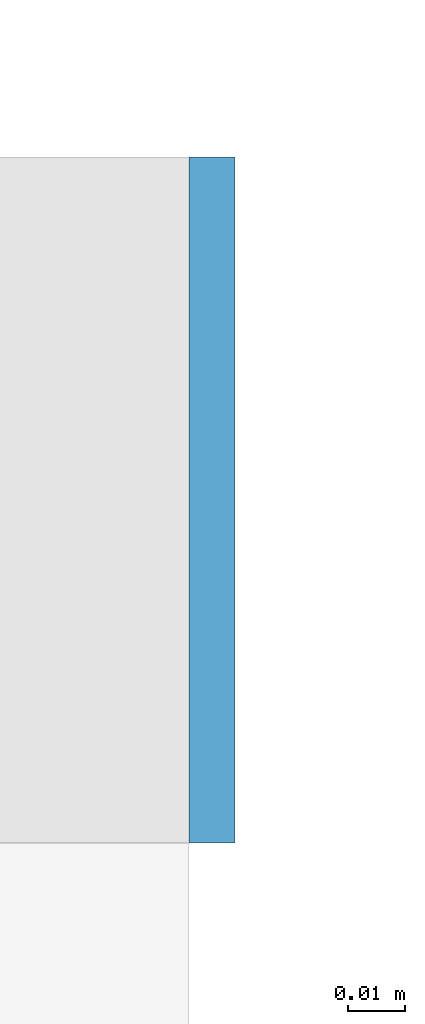
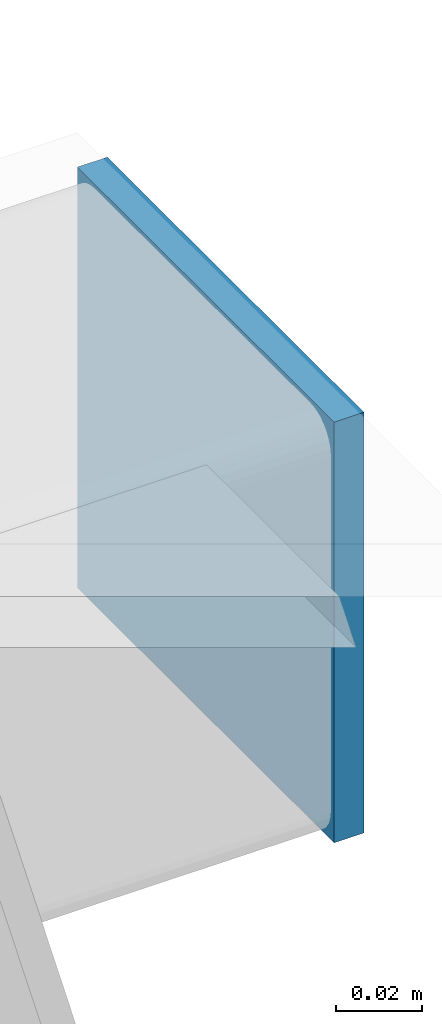
# One storey, part 87 of 122: 1 discrete accessory.
"""IFC4 building model written with IfcOpenShell, lengths in metres."""

from ifc_helpers import new_model, si_unit, direction, frame, origin, origin_2d, place, context, subcontext, project, spatial, rectangle, extrude, material, layer, layer_set, type_object, element, save


model = new_model("IFC4")

# Units and contexts
model_context = context("Model", 3, precision=1e-05, world=origin(), true_north=direction((0.0, 1.0)))
body_context = subcontext(model_context, "Body", "Model", "MODEL_VIEW")
ifc_project = project(units=[si_unit("LENGTHUNIT", "METRE"), si_unit("AREAUNIT", "SQUARE_METRE"), si_unit("VOLUMEUNIT", "CUBIC_METRE"), si_unit("PLANEANGLEUNIT", "RADIAN"), si_unit("MASSUNIT", "GRAM", prefix="KILO")], contexts=[model_context])

# Site, building, storey
site_placement = place(None, origin())
site = spatial("IfcSite", under=ifc_project, at=site_placement, CompositionType="ELEMENT")
building_placement = place(site_placement, origin())
building = spatial("IfcBuilding", under=site, at=building_placement, Name="Ridgestep Commons", CompositionType="ELEMENT")
storey_placement = place(building_placement, frame((0.0, 0.0, 3.0)))
storey = spatial("IfcBuildingStorey", under=building, at=storey_placement, Name="L01", CompositionType="ELEMENT", Elevation=3.0)

# Discrete accessory
ifc_material = material(Name="Weathering steel S355J2W", Category="steel")
ifc_layer = layer(ifc_material, 0.008056640625)
ifc_layer_set = layer_set([ifc_layer], Name="Tray edge member end plate 120 x 120 x 8")
discrete_accessory_type = type_object("IfcDiscreteAccessoryType", Name="Tray edge member end plate 120 x 120 x 8", PredefinedType="BRACKET", material=ifc_layer_set)
discrete_accessory_placement = place(storey_placement, frame((18.47412109375, 25.340087890625, 2.869873046875), z_axis=(0.0, 0.0, 1.0), x_axis=(1.0, 0.0, 0.0)))
element("IfcDiscreteAccessory", 1, at=discrete_accessory_placement, inside=storey, type_object=discrete_accessory_type, Name="Tray edge member end plate A1T2-02 east", PredefinedType="BRACKET", context=body_context, shape_type="SweptSolid", body=[
    extrude(rectangle(XDim=0.008056640625, YDim=0.1201171875, at=origin_2d()), origin(), (0.0, 0.0, 1.0), 0.1201171875),
])

save(model, "model.ifc")
